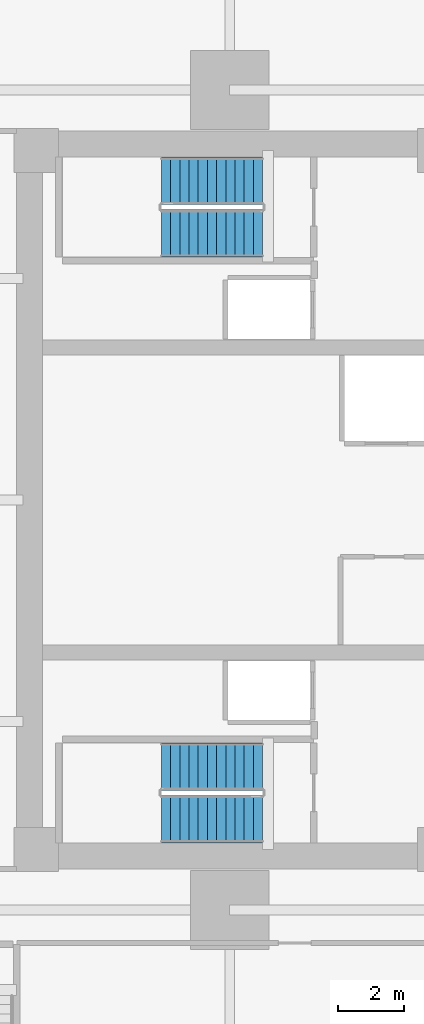
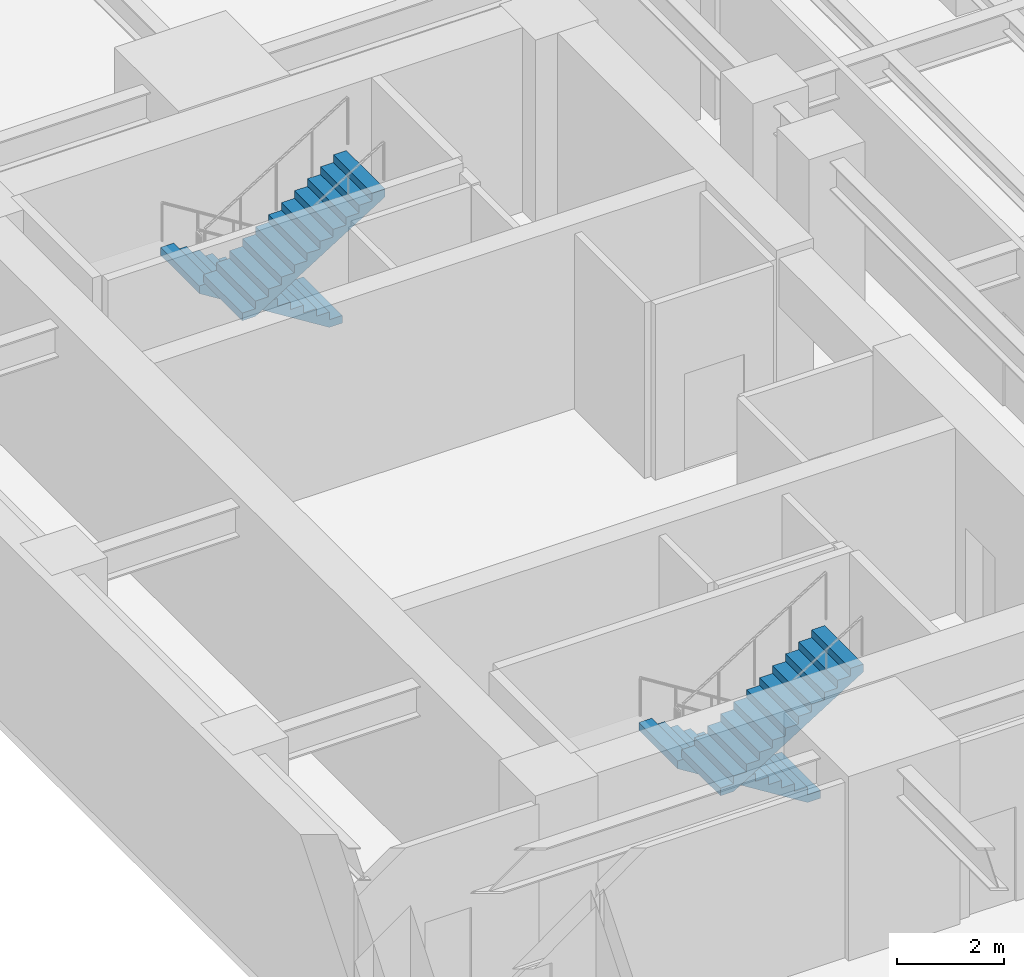
# One storey, part 4 of 5: 4 stair flights, 2 elements without a shape of their own.
"""IFC4 building model written with IfcOpenShell, lengths in metres."""

from ifc_helpers import new_model, si_unit, direction, frame, origin, place, context, subcontext, project, spatial, polyline, outline, extrude, material, type_object, element, aggregate, save


model = new_model("IFC4")

# Units and contexts
model_context = context("Model", 3, precision=1e-05, world=origin(), true_north=direction((0.0, 1.0)))
body_context = subcontext(model_context, "Body", "Model", "MODEL_VIEW")
ifc_project = project(units=[si_unit("LENGTHUNIT", "METRE"), si_unit("AREAUNIT", "SQUARE_METRE"), si_unit("VOLUMEUNIT", "CUBIC_METRE"), si_unit("PLANEANGLEUNIT", "RADIAN"), si_unit("MASSUNIT", "GRAM", prefix="KILO")], contexts=[model_context])

# Site, building, storey
site_placement = place(None, origin())
site = spatial("IfcSite", under=ifc_project, at=site_placement, CompositionType="ELEMENT")
building_placement = place(site_placement, origin())
building = spatial("IfcBuilding", under=site, at=building_placement, Name="Kinhvarn Gate Tower", CompositionType="ELEMENT")
storey_placement = place(building_placement, frame((0.0, 0.0, -9.0)))
storey = spatial("IfcBuildingStorey", under=building, at=storey_placement, Name="B02", CompositionType="ELEMENT", Elevation=-9.0)

# Stair, stair flights
ifc_material = material(Name="Concrete C40/50", Category="concrete")
stair_type = type_object("IfcStairType", Name="STR-DLG-175", PredefinedType="HALF_TURN_STAIR", material=ifc_material)
stair_1_placement = place(storey_placement, origin())
stair_1 = element("IfcStair", 1, at=stair_1_placement, inside=storey, type_object=stair_type, Name="B02 Core Smokeproof Exit Stair ST1", PredefinedType="HALF_TURN_STAIR")
stair_flight_type = type_object("IfcStairFlightType", Name="STF-DLG-175", PredefinedType="STRAIGHT", material=ifc_material)
stair_flight_1_placement = place(storey_placement, frame((12.0, 17.125, 0.0), z_axis=(0.0, 0.0, 1.0), x_axis=(-1.0, 0.0, 0.0)))
stair_flight_1 = element("IfcStairFlight", 2, at=stair_flight_1_placement, type_object=stair_flight_type, Name="ST1 flight 1", NumberOfRisers=12, NumberOfTreads=11, PredefinedType="STRAIGHT", RiserHeight=0.175, TreadLength=0.28, context=body_context, shape_type="SweptSolid", body=[
    extrude(outline(polyline([(0.0, 0.0), (0.0, 0.175048828125), (0.280029296875, 0.175048828125), (0.280029296875, 0.35009765625), (0.56005859375, 0.35009765625), (0.56005859375, 0.52490234375), (0.840087890625, 0.52490234375), (0.840087890625, 0.699951171875), (1.1201171875, 0.699951171875), (1.1201171875, 0.875), (1.39990234375, 0.875), (1.39990234375, 1.050048828125), (1.679931640625, 1.050048828125), (1.679931640625, 1.22509765625), (1.9599609375, 1.22509765625), (1.9599609375, 1.39990234375), (2.239990234375, 1.39990234375), (2.239990234375, 1.574951171875), (2.52001953125, 1.574951171875), (2.52001953125, 1.75), (2.800048828125, 1.75), (2.800048828125, 1.925048828125), (3.080078125, 1.925048828125), (3.080078125, 2.10009765625), (3.080078125, 1.748291015625), (0.28271484375, 0.0), (0.0, 0.0)])), frame((0.0, 0.72509765625, 0.0), z_axis=(0.0, -1.0, 0.0), x_axis=(1.0, 0.0, 0.0)), (0.0, 0.0, 1.0), 1.449951171875),
])
stair_flight_2_placement = place(storey_placement, frame((8.919921875, 15.52490234375, 2.10009765625), z_axis=(0.0, 0.0, 1.0), x_axis=(1.0, 0.0, 0.0)))
stair_flight_2 = element("IfcStairFlight", 3, at=stair_flight_2_placement, type_object=stair_flight_type, Name="ST1 flight 2", NumberOfRisers=12, NumberOfTreads=11, PredefinedType="STRAIGHT", RiserHeight=0.175, TreadLength=0.28, context=body_context, shape_type="SweptSolid", body=[
    extrude(outline(polyline([(0.0, 0.0), (0.0, 0.175048828125), (0.280029296875, 0.175048828125), (0.280029296875, 0.35009765625), (0.56005859375, 0.35009765625), (0.56005859375, 0.52490234375), (0.840087890625, 0.52490234375), (0.840087890625, 0.699951171875), (1.1201171875, 0.699951171875), (1.1201171875, 0.875), (1.39990234375, 0.875), (1.39990234375, 1.050048828125), (1.679931640625, 1.050048828125), (1.679931640625, 1.22509765625), (1.9599609375, 1.22509765625), (1.9599609375, 1.39990234375), (2.239990234375, 1.39990234375), (2.239990234375, 1.574951171875), (2.52001953125, 1.574951171875), (2.52001953125, 1.75), (2.800048828125, 1.75), (2.800048828125, 1.925048828125), (3.080078125, 1.925048828125), (3.080078125, 2.10009765625), (3.080078125, 1.748291015625), (0.28271484375, 0.0), (0.0, 0.0)])), frame((0.0, 0.72509765625, 0.0), z_axis=(0.0, -1.0, 0.0), x_axis=(1.0, 0.0, 0.0)), (0.0, 0.0, 1.0), 1.449951171875),
])
aggregate(stair_1, [stair_flight_1, stair_flight_2])

stair_2_placement = place(storey_placement, origin())
stair_2 = element("IfcStair", 4, at=stair_2_placement, inside=storey, type_object=stair_type, Name="B02 Core Smokeproof Exit Stair ST2", PredefinedType="HALF_TURN_STAIR")
stair_flight_3_placement = place(storey_placement, frame((12.0, 34.97509765625, 0.0), z_axis=(0.0, 0.0, 1.0), x_axis=(-1.0, 0.0, 0.0)))
stair_flight_3 = element("IfcStairFlight", 5, at=stair_flight_3_placement, type_object=stair_flight_type, Name="ST2 flight 1", NumberOfRisers=12, NumberOfTreads=11, PredefinedType="STRAIGHT", RiserHeight=0.175, TreadLength=0.28, context=body_context, shape_type="SweptSolid", body=[
    extrude(outline(polyline([(0.0, 0.0), (0.0, 0.175048828125), (0.280029296875, 0.175048828125), (0.280029296875, 0.35009765625), (0.56005859375, 0.35009765625), (0.56005859375, 0.52490234375), (0.840087890625, 0.52490234375), (0.840087890625, 0.699951171875), (1.1201171875, 0.699951171875), (1.1201171875, 0.875), (1.39990234375, 0.875), (1.39990234375, 1.050048828125), (1.679931640625, 1.050048828125), (1.679931640625, 1.22509765625), (1.9599609375, 1.22509765625), (1.9599609375, 1.39990234375), (2.239990234375, 1.39990234375), (2.239990234375, 1.574951171875), (2.52001953125, 1.574951171875), (2.52001953125, 1.75), (2.800048828125, 1.75), (2.800048828125, 1.925048828125), (3.080078125, 1.925048828125), (3.080078125, 2.10009765625), (3.080078125, 1.748291015625), (0.28271484375, 0.0), (0.0, 0.0)])), frame((0.0, 0.72509765625, 0.0), z_axis=(0.0, -1.0, 0.0), x_axis=(1.0, 0.0, 0.0)), (0.0, 0.0, 1.0), 1.449951171875),
])
stair_flight_4_placement = place(storey_placement, frame((8.919921875, 33.375, 2.10009765625), z_axis=(0.0, 0.0, 1.0), x_axis=(1.0, 0.0, 0.0)))
stair_flight_4 = element("IfcStairFlight", 6, at=stair_flight_4_placement, type_object=stair_flight_type, Name="ST2 flight 2", NumberOfRisers=12, NumberOfTreads=11, PredefinedType="STRAIGHT", RiserHeight=0.175, TreadLength=0.28, context=body_context, shape_type="SweptSolid", body=[
    extrude(outline(polyline([(0.0, 0.0), (0.0, 0.175048828125), (0.280029296875, 0.175048828125), (0.280029296875, 0.35009765625), (0.56005859375, 0.35009765625), (0.56005859375, 0.52490234375), (0.840087890625, 0.52490234375), (0.840087890625, 0.699951171875), (1.1201171875, 0.699951171875), (1.1201171875, 0.875), (1.39990234375, 0.875), (1.39990234375, 1.050048828125), (1.679931640625, 1.050048828125), (1.679931640625, 1.22509765625), (1.9599609375, 1.22509765625), (1.9599609375, 1.39990234375), (2.239990234375, 1.39990234375), (2.239990234375, 1.574951171875), (2.52001953125, 1.574951171875), (2.52001953125, 1.75), (2.800048828125, 1.75), (2.800048828125, 1.925048828125), (3.080078125, 1.925048828125), (3.080078125, 2.10009765625), (3.080078125, 1.748291015625), (0.28271484375, 0.0), (0.0, 0.0)])), frame((0.0, 0.72509765625, 0.0), z_axis=(0.0, -1.0, 0.0), x_axis=(1.0, 0.0, 0.0)), (0.0, 0.0, 1.0), 1.449951171875),
])
aggregate(stair_2, [stair_flight_3, stair_flight_4])

save(model, "model.ifc")
